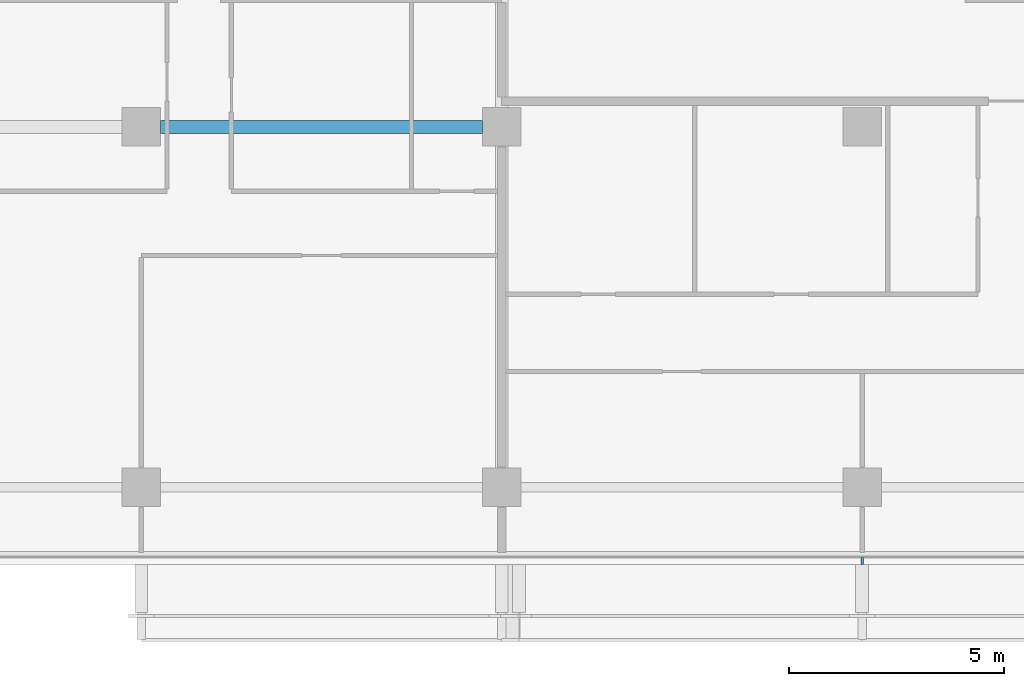
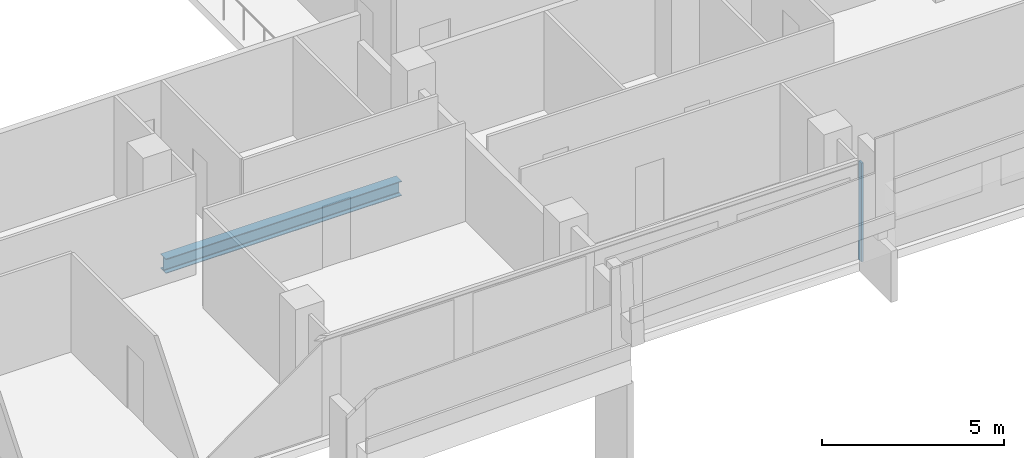
# One storey, part 6 of 27: 1 beam, 1 member, 1 element without a shape of its own.
"""IFC4 building model written with IfcOpenShell, lengths in metres."""

from ifc_helpers import new_model, si_unit, direction, frame, origin, origin_2d, place, context, subcontext, project, spatial, rectangle, i_section, extrude, material, material_profile, profile_set, type_object, element, aggregate, save


model = new_model("IFC4")

# Units and contexts
model_context = context("Model", 3, precision=1e-05, world=origin(), true_north=direction((0.0, 1.0)))
body_context = subcontext(model_context, "Body", "Model", "MODEL_VIEW")
ifc_project = project(units=[si_unit("LENGTHUNIT", "METRE"), si_unit("AREAUNIT", "SQUARE_METRE"), si_unit("VOLUMEUNIT", "CUBIC_METRE"), si_unit("PLANEANGLEUNIT", "RADIAN"), si_unit("MASSUNIT", "GRAM", prefix="KILO")], contexts=[model_context])

# Site, building, storey
site_placement = place(None, origin())
site = spatial("IfcSite", under=ifc_project, at=site_placement, CompositionType="ELEMENT")
building_placement = place(site_placement, origin())
building = spatial("IfcBuilding", under=site, at=building_placement, Name="Saffron Gate Tower", CompositionType="ELEMENT")
storey_placement = place(building_placement, frame((0.0, 0.0, 44.39990234375)))
storey = spatial("IfcBuildingStorey", under=building, at=storey_placement, Name="L09", CompositionType="ELEMENT", Elevation=44.39990234375)

# Beam
ifc_material_1 = material(Name="Structural steel S355", Category="steel")
ifc_material_profile_1 = material_profile(ifc_material_1, i_section(OverallWidth=0.300048828125, OverallDepth=0.489990234375, WebThickness=0.011962890625, FlangeThickness=0.02294921875, FilletRadius=0.027099609375, at=origin_2d()))
ifc_profile_set_1 = profile_set([ifc_material_profile_1], Name="Structural steel S355")
beam_type = type_object("IfcBeamType", Name="B8 HEA 500", PredefinedType="BEAM", material=ifc_profile_set_1)
beam_placement = place(storey_placement, frame((92.25, 40.199951171875, -0.52490234375), z_axis=(1.0, 0.0, 0.0), x_axis=(0.0, 1.0, 0.0)))
element("IfcBeam", 1, at=beam_placement, inside=storey, type_object=beam_type, Name="B8 FLOOR GIRDER", PredefinedType="BEAM", context=body_context, shape_type="SweptSolid", body=[
    extrude(i_section(OverallWidth=0.300048828125, OverallDepth=0.489990234375, WebThickness=0.011962890625, FlangeThickness=0.02294921875, FilletRadius=0.027099609375, at=origin_2d()), origin(), (0.0, 0.0, 1.0), 7.5),
])

# Curtain wall, member
ifc_material_2 = material(Name="Aluminium, bronze anodised", Category="aluminium")
curtain_wall_type = type_object("IfcCurtainWallType", Name="CWS1 curtain wall front facade", PredefinedType="NOTDEFINED", material=ifc_material_2)
curtain_wall_placement = place(storey_placement, origin())
curtain_wall = element("IfcCurtainWall", 2, at=curtain_wall_placement, inside=storey, type_object=curtain_wall_type, Name="CWS1 run 1", PredefinedType="NOTDEFINED")
ifc_material_profile_2 = material_profile(ifc_material_2, rectangle(XDim=0.159912109375, YDim=0.06005859375, at=origin_2d()))
ifc_profile_set_2 = profile_set([ifc_material_profile_2], Name="Aluminium, bronze anodised")
member_type = type_object("IfcMemberType", Name="CWS1 mullion 60x160", PredefinedType="MULLION", material=ifc_profile_set_2)
member_placement = place(storey_placement, frame((108.60009765625, 30.080078125, 0.0), z_axis=(0.0, 0.0, 1.0), x_axis=(0.0, 1.0, 0.0)))
member = element("IfcMember", 3, at=member_placement, type_object=member_type, Name="CWS1 mullion 8", PredefinedType="MULLION", context=body_context, shape_type="SweptSolid", body=[
    extrude(rectangle(XDim=0.159912109375, YDim=0.06005859375, at=origin_2d()), origin(), (0.0, 0.0, 1.0), 3.320068359375),
])
aggregate(curtain_wall, [member])

save(model, "model.ifc")
